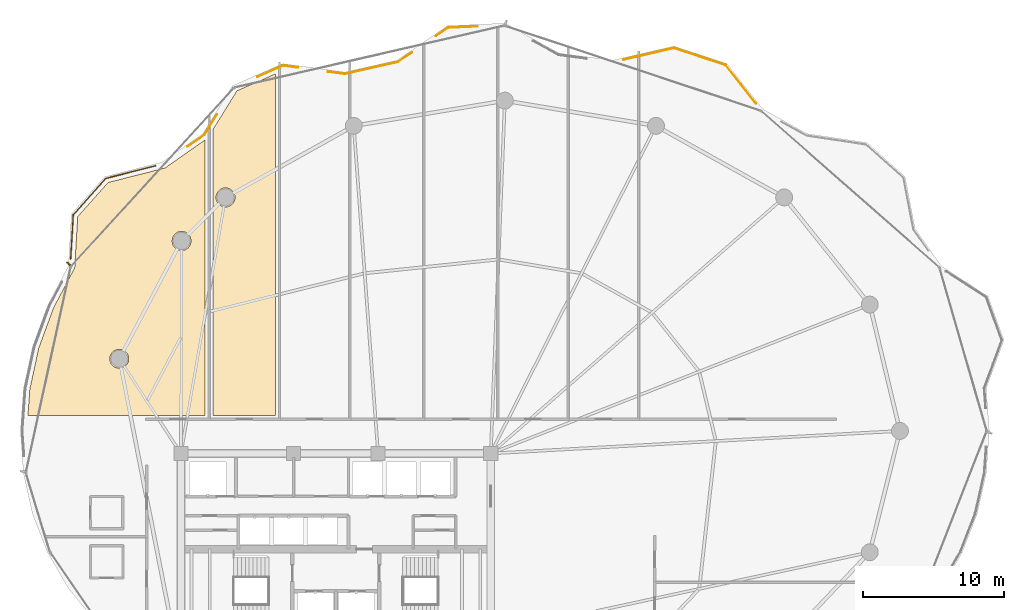
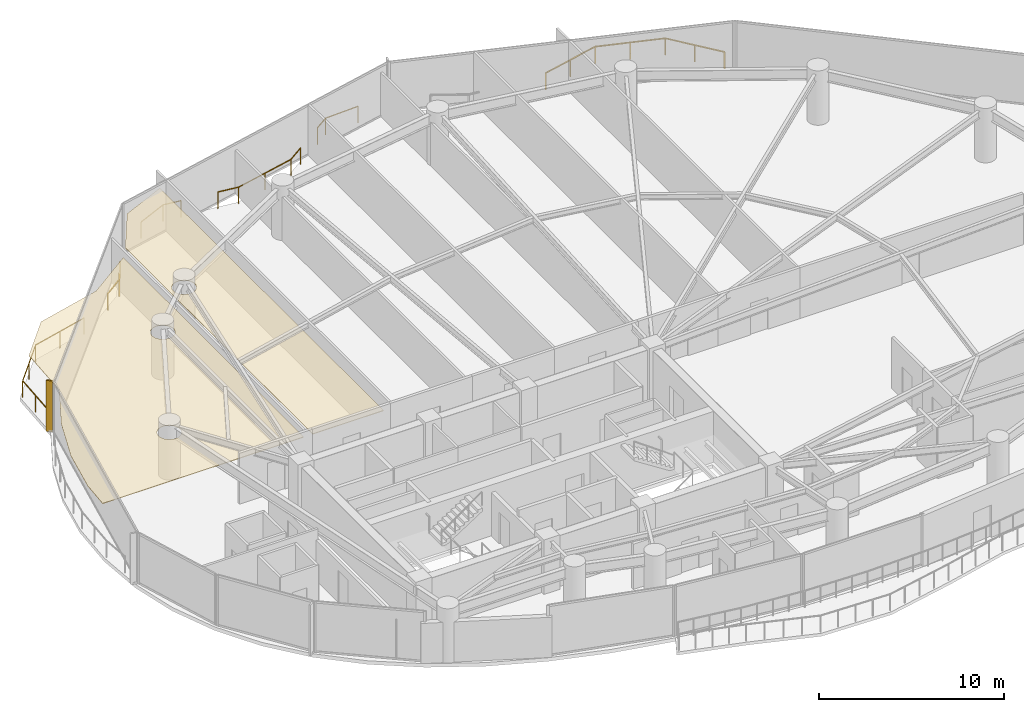
# One storey, part 33 of 34: 6 railings, 2 coverings, 1 shading device.
"""IFC4 building model written with IfcOpenShell, lengths in metres."""

from ifc_helpers import new_model, si_unit, direction, frame, origin, origin_2d, place, context, subcontext, project, spatial, polyline, rectangle, outline, extrude, material, layer, layer_set, type_object, element, save


model = new_model("IFC4")

# Units and contexts
model_context = context("Model", 3, precision=1e-05, world=origin(), true_north=direction((0.0, 1.0)))
body_context = subcontext(model_context, "Body", "Model", "MODEL_VIEW")
ifc_project = project(units=[si_unit("LENGTHUNIT", "METRE"), si_unit("AREAUNIT", "SQUARE_METRE"), si_unit("VOLUMEUNIT", "CUBIC_METRE"), si_unit("PLANEANGLEUNIT", "RADIAN"), si_unit("MASSUNIT", "GRAM", prefix="KILO")], contexts=[model_context])

# Site, building, storey
site_placement = place(None, origin())
site = spatial("IfcSite", under=ifc_project, at=site_placement, CompositionType="ELEMENT")
building_placement = place(site_placement, origin())
building = spatial("IfcBuilding", under=site, at=building_placement, Name="Kazevale Care Tower and Concert Hall", CompositionType="ELEMENT")
storey_placement = place(building_placement, frame((0.0, 0.0, 156.60009765625)))
storey = spatial("IfcBuildingStorey", under=building, at=storey_placement, Name="L41", CompositionType="ELEMENT", Elevation=156.60009765625)

# Coverings
ifc_material_1 = material(Name="Acoustic Plaster and Hinoki Wood", Category="wood")
ifc_layer = layer(ifc_material_1, 0.0400390625)
ifc_layer_set = layer_set([ifc_layer], Name="Acoustic Plaster and Hinoki Wood")
covering_type = type_object("IfcCoveringType", Name="Acoustic Perforated Wood-Gypsum Ceiling", PredefinedType="CEILING", material=ifc_layer_set)
covering_1_placement = place(storey_placement, frame((0.0, 0.0, 2.7099609375)))
element("IfcCovering", 1, at=covering_1_placement, inside=storey, type_object=covering_type, Name="clg:L41:1", PredefinedType="CEILING", context=body_context, shape_type="SweptSolid", body=[
    extrude(outline(polyline([(11.905029296875, 43.8798828125), (12.951904296875, 46.72998046875), (14.4599609375, 49.587890625), (14.672119140625, 53.216064453125), (16.830078125, 55.638916015625), (20.87109375, 56.6669921875), (23.719970703125, 58.6650390625), (23.719970703125, 39.10498046875), (11.139892578125, 39.10498046875), (11.27294921875, 40.9580078125), (11.905029296875, 43.8798828125)]), holes=[polyline([(22.677978515625, 51.75), (22.531005859375, 51.970947265625), (22.31005859375, 52.117919921875), (22.050048828125, 52.169921875), (21.7900390625, 52.117919921875), (21.569091796875, 51.970947265625), (21.422119140625, 51.75), (21.3701171875, 51.489990234375), (21.422119140625, 51.22998046875), (21.569091796875, 51.009033203125), (21.7900390625, 50.862060546875), (22.050048828125, 50.81005859375), (22.31005859375, 50.862060546875), (22.531005859375, 51.009033203125), (22.677978515625, 51.22998046875), (22.72998046875, 51.489990234375), (22.677978515625, 51.75)]), polyline([(18.297119140625, 43.2529296875), (18.195068359375, 43.498046875), (18.008056640625, 43.68505859375), (17.762939453125, 43.787109375), (17.4970703125, 43.787109375), (17.251953125, 43.68505859375), (17.06494140625, 43.498046875), (16.962890625, 43.2529296875), (16.962890625, 42.987060546875), (17.06494140625, 42.741943359375), (17.251953125, 42.554931640625), (17.4970703125, 42.452880859375), (17.762939453125, 42.452880859375), (18.008056640625, 42.554931640625), (18.195068359375, 42.741943359375), (18.297119140625, 42.987060546875), (18.297119140625, 43.2529296875)])]), origin(), (0.0, 0.0, 1.0), 0.0400390625),
])
covering_2_placement = place(storey_placement, frame((0.0, 0.0, 2.7099609375)))
element("IfcCovering", 2, at=covering_2_placement, inside=storey, type_object=covering_type, Name="clg:L41:2", PredefinedType="CEILING", context=body_context, shape_type="SweptSolid", body=[
    extrude(outline(polyline([(28.719970703125, 39.10498046875), (24.280029296875, 39.10498046875), (24.280029296875, 59.410888671875), (25.97607421875, 62.14892578125), (28.719970703125, 63.35693359375), (28.719970703125, 39.10498046875)]), holes=[polyline([(25.8369140625, 54.712890625), (25.735107421875, 54.9580078125), (25.548095703125, 55.14501953125), (25.302978515625, 55.2470703125), (25.037109375, 55.2470703125), (24.7919921875, 55.14501953125), (24.60498046875, 54.9580078125), (24.5029296875, 54.712890625), (24.5029296875, 54.447021484375), (24.60498046875, 54.201904296875), (24.7919921875, 54.014892578125), (25.037109375, 53.9130859375), (25.302978515625, 53.9130859375), (25.548095703125, 54.014892578125), (25.735107421875, 54.201904296875), (25.8369140625, 54.447021484375), (25.8369140625, 54.712890625)])]), origin(), (0.0, 0.0, 1.0), 0.0400390625),
])

# Railings
ifc_material_2 = material(Name="Anodised Bronze Aluminium and Laminated Glass", Category="aluminium")
railing_type = type_object("IfcRailingType", Name="Balcony and Terrace Balustrade 1120", PredefinedType="BALUSTRADE", material=ifc_material_2)
railing_1_placement = place(storey_placement, frame((14.176025390625, 50.219970703125, 0.0)))
element("IfcRailing", 3, at=railing_1_placement, inside=storey, type_object=railing_type, Name="rail:L41:perim:2", PredefinedType="BALUSTRADE", context=body_context, shape_type="SweptSolid", body=[
    extrude(rectangle(XDim=0.048095703125, YDim=0.048095703125, at=origin_2d()), frame((0.0, 0.0, 1.09619140625), z_axis=(0.058397513537, 0.99829340898, 0.0), x_axis=(-0.99829340898, 0.058397513537, 0.0)), (0.0, 0.0, 1.0), 3.13134765625),
    extrude(rectangle(XDim=0.048095703125, YDim=0.048095703125, at=origin_2d()), frame((0.182861328125, 3.1259765625, 1.09619140625), z_axis=(0.665105006429, 0.746749844608, 0.0), x_axis=(-0.746749844608, 0.665105006429, 0.0)), (0.0, 0.0, 1.0), 3.453857421875),
    extrude(rectangle(XDim=0.048095703125, YDim=0.048095703125, at=origin_2d()), frame((2.47998046875, 5.705078125, 1.09619140625), z_axis=(0.969135648028, 0.246528083029, 0.0), x_axis=(-0.246528083029, 0.969135648028, 0.0)), (0.0, 0.0, 1.0), 3.667236328125),
    extrude(rectangle(XDim=0.0419921875, YDim=0.0419921875, at=origin_2d()), origin(), (0.0, 0.0, 1.0), 1.072021484375),
    extrude(rectangle(XDim=0.0419921875, YDim=0.0419921875, at=origin_2d()), frame((0.09130859375, 1.56298828125, 0.0)), (0.0, 0.0, 1.0), 1.072021484375),
    extrude(rectangle(XDim=0.0419921875, YDim=0.0419921875, at=origin_2d()), frame((0.182861328125, 3.1259765625, 0.0)), (0.0, 0.0, 1.0), 1.072021484375),
    extrude(rectangle(XDim=0.0419921875, YDim=0.0419921875, at=origin_2d()), frame((1.33154296875, 4.41552734375, 0.0)), (0.0, 0.0, 1.0), 1.072021484375),
    extrude(rectangle(XDim=0.0419921875, YDim=0.0419921875, at=origin_2d()), frame((2.47998046875, 5.705078125, 0.0)), (0.0, 0.0, 1.0), 1.072021484375),
    extrude(rectangle(XDim=0.0419921875, YDim=0.0419921875, at=origin_2d()), frame((4.2568359375, 6.1572265625, 0.0)), (0.0, 0.0, 1.0), 1.072021484375),
    extrude(rectangle(XDim=0.0419921875, YDim=0.0419921875, at=origin_2d()), frame((6.033935546875, 6.609130859375, 0.0)), (0.0, 0.0, 1.0), 1.072021484375),
])
railing_2_placement = place(storey_placement, frame((22.47705078125, 58.18505859375, 0.0)))
element("IfcRailing", 4, at=railing_2_placement, inside=storey, type_object=railing_type, Name="rail:L41:perim:3", PredefinedType="BALUSTRADE", context=body_context, shape_type="SweptSolid", body=[
    extrude(rectangle(XDim=0.048095703125, YDim=0.048095703125, at=origin_2d()), frame((0.0, 0.0, 1.09619140625), z_axis=(0.819016727855, 0.573769639746, 0.0), x_axis=(-0.573769639746, 0.819016727855, 0.0)), (0.0, 0.0, 1.0), 1.439453125),
    extrude(rectangle(XDim=0.048095703125, YDim=0.048095703125, at=origin_2d()), frame((1.178955078125, 0.825927734375, 1.09619140625), z_axis=(0.526547441963, 0.85014574713, 0.0), x_axis=(-0.85014574713, 0.526547441963, 0.0)), (0.0, 0.0, 1.0), 1.69970703125),
    extrude(rectangle(XDim=0.0419921875, YDim=0.0419921875, at=origin_2d()), origin(), (0.0, 0.0, 1.0), 1.072021484375),
    extrude(rectangle(XDim=0.0419921875, YDim=0.0419921875, at=origin_2d()), frame((1.178955078125, 0.825927734375, 0.0)), (0.0, 0.0, 1.0), 1.072021484375),
    extrude(rectangle(XDim=0.0419921875, YDim=0.0419921875, at=origin_2d()), frame((2.073974609375, 2.27099609375, 0.0)), (0.0, 0.0, 1.0), 1.072021484375),
])
railing_3_placement = place(storey_placement, frame((27.425048828125, 63.135986328125, 0.0)))
element("IfcRailing", 5, at=railing_3_placement, inside=storey, type_object=railing_type, Name="rail:L41:perim:4", PredefinedType="BALUSTRADE", context=body_context, shape_type="SweptSolid", body=[
    extrude(rectangle(XDim=0.048095703125, YDim=0.048095703125, at=origin_2d()), frame((0.0, 0.0, 1.09619140625), z_axis=(0.915235534084, 0.402919243957, 0.0), x_axis=(-0.402919243957, 0.915235534084, 0.0)), (0.0, 0.0, 1.0), 1.992919921875),
    extrude(rectangle(XDim=0.048095703125, YDim=0.048095703125, at=origin_2d()), frame((1.823974609375, 0.802978515625, 1.09619140625), z_axis=(0.990895759246, -0.134631327363, 0.0), x_axis=(0.134631327363, 0.990895759246, 0.0)), (0.0, 0.0, 1.0), 1.062744140625),
    extrude(rectangle(XDim=0.0419921875, YDim=0.0419921875, at=origin_2d()), origin(), (0.0, 0.0, 1.0), 1.072021484375),
    extrude(rectangle(XDim=0.0419921875, YDim=0.0419921875, at=origin_2d()), frame((1.823974609375, 0.802978515625, 0.0)), (0.0, 0.0, 1.0), 1.072021484375),
    extrude(rectangle(XDim=0.0419921875, YDim=0.0419921875, at=origin_2d()), frame((2.876953125, 0.659912109375, 0.0)), (0.0, 0.0, 1.0), 1.072021484375),
])
railing_4_placement = place(storey_placement, frame((32.43798828125, 63.506103515625, 0.0)))
element("IfcRailing", 6, at=railing_4_placement, inside=storey, type_object=railing_type, Name="rail:L41:perim:5", PredefinedType="BALUSTRADE", context=body_context, shape_type="SweptSolid", body=[
    extrude(rectangle(XDim=0.048095703125, YDim=0.048095703125, at=origin_2d()), frame((0.0, 0.0, 1.09619140625), z_axis=(0.990995305993, -0.133896614968, 0.0), x_axis=(0.133896614968, 0.990995305993, 0.0)), (0.0, 0.0, 1.0), 1.218017578125),
    extrude(rectangle(XDim=0.048095703125, YDim=0.048095703125, at=origin_2d()), frame((1.20703125, -0.1630859375, 1.09619140625), z_axis=(0.975412879339, 0.220385377962, 0.0), x_axis=(-0.220385377962, 0.975412879339, 0.0)), (0.0, 0.0, 1.0), 3.851806640625),
    extrude(rectangle(XDim=0.048095703125, YDim=0.048095703125, at=origin_2d()), frame((4.964111328125, 0.685791015625, 1.09619140625), z_axis=(0.826107848451, 0.563512043108, 0.0), x_axis=(-0.563512043108, 0.826107848451, 0.0)), (0.0, 0.0, 1.0), 1.21044921875),
    extrude(rectangle(XDim=0.0419921875, YDim=0.0419921875, at=origin_2d()), origin(), (0.0, 0.0, 1.0), 1.072021484375),
    extrude(rectangle(XDim=0.0419921875, YDim=0.0419921875, at=origin_2d()), frame((1.20703125, -0.1630859375, 0.0)), (0.0, 0.0, 1.0), 1.072021484375),
    extrude(rectangle(XDim=0.0419921875, YDim=0.0419921875, at=origin_2d()), frame((3.08544921875, 0.26123046875, 0.0)), (0.0, 0.0, 1.0), 1.072021484375),
    extrude(rectangle(XDim=0.0419921875, YDim=0.0419921875, at=origin_2d()), frame((4.964111328125, 0.685791015625, 0.0)), (0.0, 0.0, 1.0), 1.072021484375),
    extrude(rectangle(XDim=0.0419921875, YDim=0.0419921875, at=origin_2d()), frame((5.964111328125, 1.367919921875, 0.0)), (0.0, 0.0, 1.0), 1.072021484375),
])
railing_5_placement = place(storey_placement, frame((40.125, 66.049072265625, 0.0)))
element("IfcRailing", 7, at=railing_5_placement, inside=storey, type_object=railing_type, Name="rail:L41:perim:6", PredefinedType="BALUSTRADE", context=body_context, shape_type="SweptSolid", body=[
    extrude(rectangle(XDim=0.048095703125, YDim=0.048095703125, at=origin_2d()), frame((0.0, 0.0, 1.09619140625), z_axis=(0.825986647337, 0.563689682735, 0.0), x_axis=(-0.563689682735, 0.825986647337, 0.0)), (0.0, 0.0, 1.0), 1.0302734375),
    extrude(rectangle(XDim=0.048095703125, YDim=0.048095703125, at=origin_2d()), frame((0.85107421875, 0.580810546875, 1.09619140625), z_axis=(0.999008153593, 0.044527621259, 0.0), x_axis=(-0.044527621259, 0.999008153593, 0.0)), (0.0, 0.0, 1.0), 2.0888671875),
    extrude(rectangle(XDim=0.0419921875, YDim=0.0419921875, at=origin_2d()), origin(), (0.0, 0.0, 1.0), 1.072021484375),
    extrude(rectangle(XDim=0.0419921875, YDim=0.0419921875, at=origin_2d()), frame((0.85107421875, 0.580810546875, 0.0)), (0.0, 0.0, 1.0), 1.072021484375),
    extrude(rectangle(XDim=0.0419921875, YDim=0.0419921875, at=origin_2d()), frame((2.93798828125, 0.673828125, 0.0)), (0.0, 0.0, 1.0), 1.072021484375),
])
railing_6_placement = place(storey_placement, frame((53.429931640625, 64.35791015625, 0.0)))
element("IfcRailing", 8, at=railing_6_placement, inside=storey, type_object=railing_type, Name="rail:L41:perim:8", PredefinedType="BALUSTRADE", context=body_context, shape_type="SweptSolid", body=[
    extrude(rectangle(XDim=0.048095703125, YDim=0.048095703125, at=origin_2d()), frame((0.0, 0.0, 1.09619140625), z_axis=(0.974487723827, 0.224440807588, 0.0), x_axis=(-0.224440807588, 0.974487723827, 0.0)), (0.0, 0.0, 1.0), 3.66259765625),
    extrude(rectangle(XDim=0.048095703125, YDim=0.048095703125, at=origin_2d()), frame((3.569091796875, 0.822021484375, 1.09619140625), z_axis=(0.949652960746, -0.313303772953, 0.0), x_axis=(0.313303772953, 0.949652960746, 0.0)), (0.0, 0.0, 1.0), 3.884521484375),
    extrude(rectangle(XDim=0.048095703125, YDim=0.048095703125, at=origin_2d()), frame((7.258056640625, -0.39501953125, 1.09619140625), z_axis=(0.617693820362, -0.786418682564, 0.0), x_axis=(0.786418682564, 0.617693820362, 0.0)), (0.0, 0.0, 1.0), 3.461181640625),
    extrude(rectangle(XDim=0.0419921875, YDim=0.0419921875, at=origin_2d()), origin(), (0.0, 0.0, 1.0), 1.072021484375),
    extrude(rectangle(XDim=0.0419921875, YDim=0.0419921875, at=origin_2d()), frame((1.78466796875, 0.4111328125, 0.0)), (0.0, 0.0, 1.0), 1.072021484375),
    extrude(rectangle(XDim=0.0419921875, YDim=0.0419921875, at=origin_2d()), frame((3.569091796875, 0.822021484375, 0.0)), (0.0, 0.0, 1.0), 1.072021484375),
    extrude(rectangle(XDim=0.0419921875, YDim=0.0419921875, at=origin_2d()), frame((5.41357421875, 0.21337890625, 0.0)), (0.0, 0.0, 1.0), 1.072021484375),
    extrude(rectangle(XDim=0.0419921875, YDim=0.0419921875, at=origin_2d()), frame((7.258056640625, -0.39501953125, 0.0)), (0.0, 0.0, 1.0), 1.072021484375),
    extrude(rectangle(XDim=0.0419921875, YDim=0.0419921875, at=origin_2d()), frame((8.3271484375, -1.755859375, 0.0)), (0.0, 0.0, 1.0), 1.072021484375),
    extrude(rectangle(XDim=0.0419921875, YDim=0.0419921875, at=origin_2d()), frame((9.39599609375, -3.116943359375, 0.0)), (0.0, 0.0, 1.0), 1.072021484375),
])

# Shading device
ifc_material_3 = material(Name="Anodised Bronze Aluminium", Category="aluminium")
shading_device_type = type_object("IfcShadingDeviceType", Name="Waist Anodised Bronze-Stone Fin FIN-02", PredefinedType="USERDEFINED", material=ifc_material_3)
shading_device_placement = place(storey_placement, frame((14.02197265625, 49.8671875, 0.0), z_axis=(0.0, 0.0, 1.0), x_axis=(-0.738455340626, 0.674302387584, 0.0)))
element("IfcShadingDevice", 9, at=shading_device_placement, inside=storey, type_object=shading_device_type, Name="cw:L41:f14:fin", ObjectType="FIN", PredefinedType="USERDEFINED", context=body_context, shape_type="SweptSolid", body=[
    extrude(rectangle(XDim=0.340087890625, YDim=0.10009765625, at=origin_2d()), origin(), (0.0, 0.0, 1.0), 3.360107421875),
])

save(model, "model.ifc")
